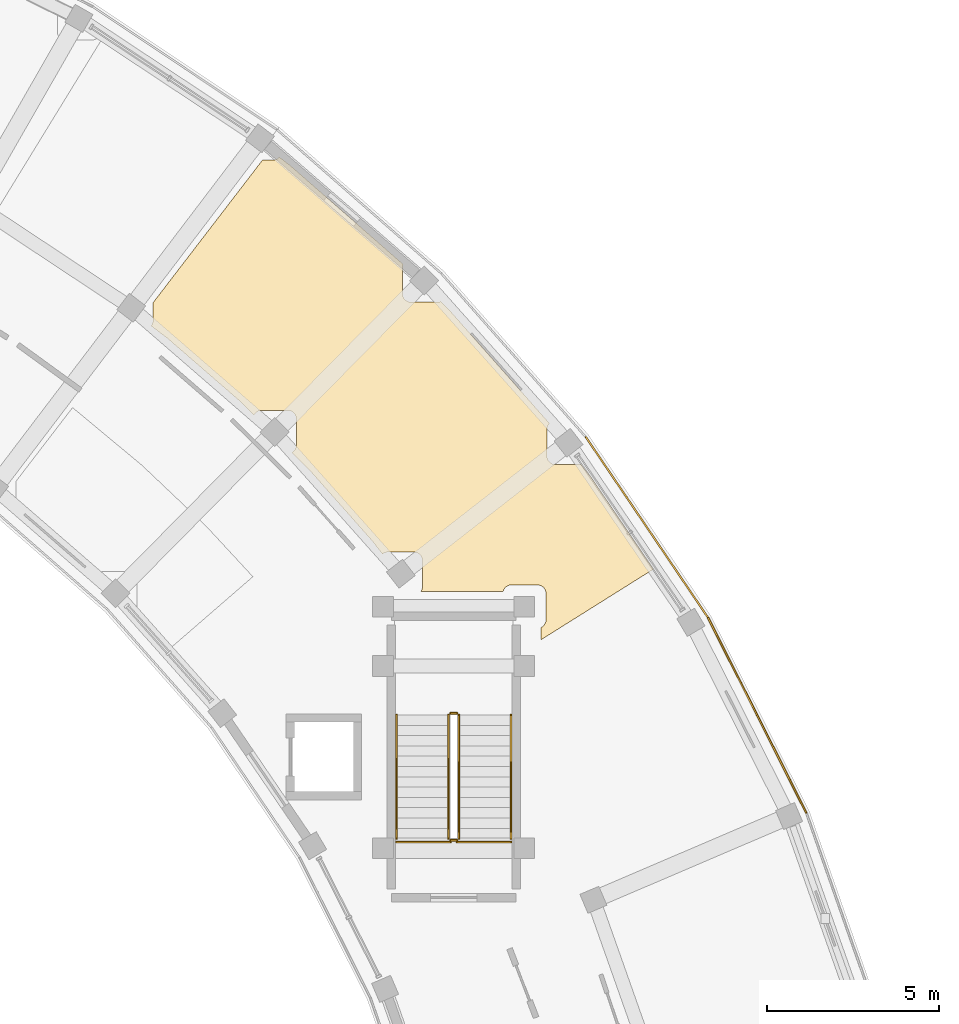
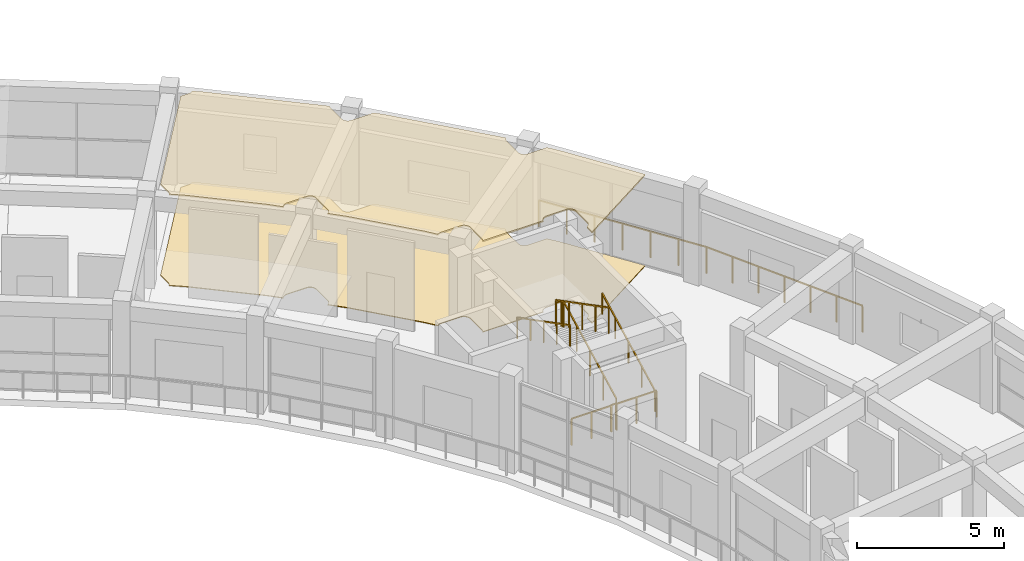
# One storey, part 52 of 53: 10 railings, 2 coverings.
"""IFC4 building model written with IfcOpenShell, lengths in metres."""

from ifc_helpers import new_model, si_unit, direction, frame, origin, origin_2d, place, context, subcontext, project, spatial, polyline, rectangle, outline, extrude, material, layer, layer_set, type_object, element, save


model = new_model("IFC4")

# Units and contexts
model_context = context("Model", 3, precision=1e-05, world=origin(), true_north=direction((0.0, 1.0)))
body_context = subcontext(model_context, "Body", "Model", "MODEL_VIEW")
ifc_project = project(units=[si_unit("LENGTHUNIT", "METRE"), si_unit("AREAUNIT", "SQUARE_METRE"), si_unit("VOLUMEUNIT", "CUBIC_METRE"), si_unit("PLANEANGLEUNIT", "RADIAN"), si_unit("MASSUNIT", "GRAM", prefix="KILO")], contexts=[model_context])

# Site, building, storey
site_placement = place(None, origin())
site = spatial("IfcSite", under=ifc_project, at=site_placement, CompositionType="ELEMENT")
building_placement = place(site_placement, origin())
building = spatial("IfcBuilding", under=site, at=building_placement, Name="Saryqyr Civic Hall", CompositionType="ELEMENT")
storey_placement = place(building_placement, frame((0.0, 0.0, 21.300048828125)))
storey = spatial("IfcBuildingStorey", under=building, at=storey_placement, Name="L05", CompositionType="ELEMENT", Elevation=21.300048828125)

# Coverings
ifc_material_1 = material(Name="Mineral-fibre acoustic ceiling tile", Category="acoustic_tile")
ifc_layer_1 = layer(ifc_material_1, 0.06005859375, Name="Mineral-fibre acoustic ceiling tile")
ifc_layer_set_1 = layer_set([ifc_layer_1], Name="Mineral-fibre acoustic ceiling tile")
covering_type_1 = type_object("IfcCoveringType", Name="INT-COV-CEIL-60", PredefinedType="CEILING", material=ifc_layer_set_1)
covering_1_placement = place(storey_placement, frame((0.0, 0.0, 3.760009765625)))
element("IfcCovering", 1, at=covering_1_placement, inside=storey, type_object=covering_type_1, Name="Acoustic ceiling Civic Diplomatic Reception Salon", PredefinedType="CEILING", context=body_context, shape_type="SweptSolid", body=[
    extrude(outline(polyline([(94.85888671875, 108.7919921875), (94.878662109375, 108.806640625), (94.896728515625, 108.8232421875), (94.913330078125, 108.84130859375), (94.927978515625, 108.861083984375), (94.9404296875, 108.882080078125), (94.950927734375, 108.904296875), (94.959228515625, 108.927490234375), (94.965087890625, 108.951171875), (94.96875, 108.9755859375), (94.969970703125, 109.0), (94.969970703125, 109.760009765625), (94.96875, 109.784423828125), (94.965087890625, 109.808837890625), (94.959228515625, 109.83251953125), (94.950927734375, 109.855712890625), (94.9404296875, 109.877685546875), (94.927978515625, 109.89892578125), (94.913330078125, 109.918701171875), (94.896728515625, 109.936767578125), (94.878662109375, 109.953369140625), (94.85888671875, 109.968017578125), (94.837890625, 109.98046875), (94.815673828125, 109.990966796875), (94.79248046875, 109.999267578125), (94.768798828125, 110.005126953125), (94.744384765625, 110.0087890625), (94.719970703125, 110.010009765625), (93.9599609375, 110.010009765625), (93.935546875, 110.0087890625), (93.9111328125, 110.005126953125), (93.887451171875, 109.999267578125), (93.8642578125, 109.990966796875), (93.84228515625, 109.98046875), (93.821044921875, 109.968017578125), (93.801513671875, 109.953369140625), (93.783203125, 109.936767578125), (93.7666015625, 109.918701171875), (93.752197265625, 109.89892578125), (93.739501953125, 109.877685546875), (93.72900390625, 109.855712890625), (93.720703125, 109.83251953125), (93.717529296875, 109.820068359375), (91.328125, 109.820068359375), (91.3388671875, 109.837890625), (91.349365234375, 109.85986328125), (91.357666015625, 109.883056640625), (91.363525390625, 109.90673828125), (91.3671875, 109.93115234375), (91.368408203125, 109.95556640625), (91.368408203125, 110.715576171875), (91.3671875, 110.739990234375), (91.363525390625, 110.764404296875), (91.357666015625, 110.7880859375), (91.349365234375, 110.811279296875), (91.3388671875, 110.83349609375), (91.326416015625, 110.8544921875), (91.311767578125, 110.874267578125), (91.295166015625, 110.892333984375), (91.277099609375, 110.908935546875), (91.25732421875, 110.923583984375), (91.236083984375, 110.93603515625), (91.214111328125, 110.946533203125), (91.19091796875, 110.954833984375), (91.167236328125, 110.960693359375), (91.142822265625, 110.96435546875), (91.118408203125, 110.965576171875), (90.3583984375, 110.965576171875), (90.333984375, 110.96435546875), (90.3095703125, 110.960693359375), (90.285888671875, 110.954833984375), (90.2626953125, 110.946533203125), (90.240478515625, 110.93603515625), (90.219482421875, 110.923583984375), (90.201416015625, 110.91015625), (89.92724609375, 111.26416015625), (89.904296875, 111.2919921875), (88.064697265625, 113.36865234375), (88.0400390625, 113.394775390625), (87.564208984375, 113.86572265625), (87.581787109375, 113.876220703125), (87.601318359375, 113.890869140625), (87.61962890625, 113.907470703125), (87.635986328125, 113.925537109375), (87.650634765625, 113.9453125), (87.663330078125, 113.96630859375), (87.673828125, 113.988525390625), (87.681884765625, 114.01171875), (87.68798828125, 114.035400390625), (87.691650390625, 114.059814453125), (87.69287109375, 114.084228515625), (87.69287109375, 114.84423828125), (87.691650390625, 114.86865234375), (87.68798828125, 114.89306640625), (87.681884765625, 114.916748046875), (87.673828125, 114.93994140625), (87.663330078125, 114.9619140625), (87.650634765625, 114.983154296875), (87.635986328125, 115.002685546875), (87.61962890625, 115.02099609375), (87.601318359375, 115.03759765625), (87.581787109375, 115.052001953125), (87.560546875, 115.064697265625), (87.53857421875, 115.0751953125), (87.515380859375, 115.08349609375), (87.49169921875, 115.08935546875), (87.46728515625, 115.093017578125), (87.44287109375, 115.09423828125), (86.682861328125, 115.09423828125), (86.658203125, 115.093017578125), (86.634033203125, 115.08935546875), (86.610107421875, 115.08349609375), (86.587158203125, 115.0751953125), (86.56494140625, 115.064697265625), (86.5439453125, 115.052001953125), (86.524169921875, 115.03759765625), (86.506103515625, 115.02099609375), (86.489501953125, 115.002685546875), (86.474853515625, 114.983154296875), (86.46240234375, 114.9619140625), (86.46044921875, 114.9580078125), (86.068115234375, 115.34619140625), (86.04150390625, 115.37060546875), (83.94580078125, 117.188232421875), (83.917724609375, 117.2109375), (83.465087890625, 117.55419921875), (83.4736328125, 117.56591796875), (83.486328125, 117.5869140625), (83.496826171875, 117.60888671875), (83.5048828125, 117.632080078125), (83.510986328125, 117.656005859375), (83.5146484375, 117.68017578125), (83.515869140625, 117.70458984375), (83.515869140625, 118.2275390625), (86.71142578125, 122.39208984375), (87.015625, 122.39208984375), (87.0400390625, 122.393310546875), (87.064453125, 122.39697265625), (87.088134765625, 122.403076171875), (87.111328125, 122.4111328125), (87.13330078125, 122.421630859375), (87.154541015625, 122.434326171875), (87.17431640625, 122.448974609375), (87.1923828125, 122.46533203125), (87.199462890625, 122.473388671875), (87.50439453125, 122.2421875), (90.744140625, 119.407958984375), (90.8046875, 119.34765625), (90.798583984375, 119.329833984375), (90.79248046875, 119.30615234375), (90.788818359375, 119.28173828125), (90.78759765625, 119.25732421875), (90.78759765625, 118.497314453125), (90.788818359375, 118.472900390625), (90.79248046875, 118.448486328125), (90.798583984375, 118.4248046875), (90.806640625, 118.401611328125), (90.817138671875, 118.37939453125), (90.829833984375, 118.3583984375), (90.844482421875, 118.338623046875), (90.86083984375, 118.320556640625), (90.879150390625, 118.303955078125), (90.898681640625, 118.289306640625), (90.919921875, 118.27685546875), (90.94189453125, 118.266357421875), (90.965087890625, 118.258056640625), (90.989013671875, 118.252197265625), (91.01318359375, 118.24853515625), (91.03759765625, 118.247314453125), (91.797607421875, 118.247314453125), (91.822265625, 118.24853515625), (91.846435546875, 118.252197265625), (91.870361328125, 118.258056640625), (91.893310546875, 118.266357421875), (91.896240234375, 118.267578125), (92.1875, 117.9794921875), (95.03515625, 114.755615234375), (95.071044921875, 114.709228515625), (95.06884765625, 114.70751953125), (95.052490234375, 114.689208984375), (95.037841796875, 114.66943359375), (95.025146484375, 114.6484375), (95.0146484375, 114.626220703125), (95.006591796875, 114.603271484375), (95.00048828125, 114.579345703125), (94.996826171875, 114.55517578125), (94.99560546875, 114.530517578125), (94.99560546875, 113.7705078125), (94.996826171875, 113.74609375), (95.00048828125, 113.7216796875), (95.006591796875, 113.697998046875), (95.0146484375, 113.6748046875), (95.025146484375, 113.65283203125), (95.037841796875, 113.631591796875), (95.052490234375, 113.612060546875), (95.06884765625, 113.59375), (95.087158203125, 113.577392578125), (95.106689453125, 113.562744140625), (95.1279296875, 113.550048828125), (95.14990234375, 113.53955078125), (95.173095703125, 113.531494140625), (95.197021484375, 113.525390625), (95.22119140625, 113.521728515625), (95.24560546875, 113.5205078125), (95.99169921875, 113.5205078125), (96.279296875, 113.149658203125), (98.094970703125, 110.466796875), (94.820068359375, 108.4111328125), (94.820068359375, 108.77099609375), (94.837890625, 108.779541015625), (94.85888671875, 108.7919921875)])), origin(), (0.0, 0.0, 1.0), 0.06005859375),
])
ifc_material_2 = material(Name="Polished terrazzo tile", Category="stone")
ifc_layer_2 = layer(ifc_material_2, 0.030029296875, Name="Polished terrazzo tile")
ifc_layer_set_2 = layer_set([ifc_layer_2], Name="Polished terrazzo tile")
covering_type_2 = type_object("IfcCoveringType", Name="INT-COV-FLR-30", PredefinedType="FLOORING", material=ifc_layer_set_2)
covering_2_placement = place(storey_placement, origin())
element("IfcCovering", 2, at=covering_2_placement, inside=storey, type_object=covering_type_2, Name="Polished terrazzo flooring Civic Diplomatic Reception Salon", PredefinedType="FLOORING", context=body_context, shape_type="SweptSolid", body=[
    extrude(outline(polyline([(94.85888671875, 108.7919921875), (94.878662109375, 108.806640625), (94.896728515625, 108.8232421875), (94.913330078125, 108.84130859375), (94.927978515625, 108.861083984375), (94.9404296875, 108.882080078125), (94.950927734375, 108.904296875), (94.959228515625, 108.927490234375), (94.965087890625, 108.951171875), (94.96875, 108.9755859375), (94.969970703125, 109.0), (94.969970703125, 109.760009765625), (94.96875, 109.784423828125), (94.965087890625, 109.808837890625), (94.959228515625, 109.83251953125), (94.950927734375, 109.855712890625), (94.9404296875, 109.877685546875), (94.927978515625, 109.89892578125), (94.913330078125, 109.918701171875), (94.896728515625, 109.936767578125), (94.878662109375, 109.953369140625), (94.85888671875, 109.968017578125), (94.837890625, 109.98046875), (94.815673828125, 109.990966796875), (94.79248046875, 109.999267578125), (94.768798828125, 110.005126953125), (94.744384765625, 110.0087890625), (94.719970703125, 110.010009765625), (93.9599609375, 110.010009765625), (93.935546875, 110.0087890625), (93.9111328125, 110.005126953125), (93.887451171875, 109.999267578125), (93.8642578125, 109.990966796875), (93.84228515625, 109.98046875), (93.821044921875, 109.968017578125), (93.801513671875, 109.953369140625), (93.783203125, 109.936767578125), (93.7666015625, 109.918701171875), (93.752197265625, 109.89892578125), (93.739501953125, 109.877685546875), (93.72900390625, 109.855712890625), (93.720703125, 109.83251953125), (93.717529296875, 109.820068359375), (91.328125, 109.820068359375), (91.3388671875, 109.837890625), (91.349365234375, 109.85986328125), (91.357666015625, 109.883056640625), (91.363525390625, 109.90673828125), (91.3671875, 109.93115234375), (91.368408203125, 109.95556640625), (91.368408203125, 110.715576171875), (91.3671875, 110.739990234375), (91.363525390625, 110.764404296875), (91.357666015625, 110.7880859375), (91.349365234375, 110.811279296875), (91.3388671875, 110.83349609375), (91.326416015625, 110.8544921875), (91.311767578125, 110.874267578125), (91.295166015625, 110.892333984375), (91.277099609375, 110.908935546875), (91.25732421875, 110.923583984375), (91.236083984375, 110.93603515625), (91.214111328125, 110.946533203125), (91.19091796875, 110.954833984375), (91.167236328125, 110.960693359375), (91.142822265625, 110.96435546875), (91.118408203125, 110.965576171875), (90.3583984375, 110.965576171875), (90.333984375, 110.96435546875), (90.3095703125, 110.960693359375), (90.285888671875, 110.954833984375), (90.2626953125, 110.946533203125), (90.240478515625, 110.93603515625), (90.219482421875, 110.923583984375), (90.201416015625, 110.91015625), (89.92724609375, 111.26416015625), (89.904296875, 111.2919921875), (88.064697265625, 113.36865234375), (88.0400390625, 113.394775390625), (87.564208984375, 113.86572265625), (87.581787109375, 113.876220703125), (87.601318359375, 113.890869140625), (87.61962890625, 113.907470703125), (87.635986328125, 113.925537109375), (87.650634765625, 113.9453125), (87.663330078125, 113.96630859375), (87.673828125, 113.988525390625), (87.681884765625, 114.01171875), (87.68798828125, 114.035400390625), (87.691650390625, 114.059814453125), (87.69287109375, 114.084228515625), (87.69287109375, 114.84423828125), (87.691650390625, 114.86865234375), (87.68798828125, 114.89306640625), (87.681884765625, 114.916748046875), (87.673828125, 114.93994140625), (87.663330078125, 114.9619140625), (87.650634765625, 114.983154296875), (87.635986328125, 115.002685546875), (87.61962890625, 115.02099609375), (87.601318359375, 115.03759765625), (87.581787109375, 115.052001953125), (87.560546875, 115.064697265625), (87.53857421875, 115.0751953125), (87.515380859375, 115.08349609375), (87.49169921875, 115.08935546875), (87.46728515625, 115.093017578125), (87.44287109375, 115.09423828125), (86.682861328125, 115.09423828125), (86.658203125, 115.093017578125), (86.634033203125, 115.08935546875), (86.610107421875, 115.08349609375), (86.587158203125, 115.0751953125), (86.56494140625, 115.064697265625), (86.5439453125, 115.052001953125), (86.524169921875, 115.03759765625), (86.506103515625, 115.02099609375), (86.489501953125, 115.002685546875), (86.474853515625, 114.983154296875), (86.46240234375, 114.9619140625), (86.46044921875, 114.9580078125), (86.068115234375, 115.34619140625), (86.04150390625, 115.37060546875), (83.94580078125, 117.188232421875), (83.917724609375, 117.2109375), (83.465087890625, 117.55419921875), (83.4736328125, 117.56591796875), (83.486328125, 117.5869140625), (83.496826171875, 117.60888671875), (83.5048828125, 117.632080078125), (83.510986328125, 117.656005859375), (83.5146484375, 117.68017578125), (83.515869140625, 117.70458984375), (83.515869140625, 118.2275390625), (86.71142578125, 122.39208984375), (87.015625, 122.39208984375), (87.0400390625, 122.393310546875), (87.064453125, 122.39697265625), (87.088134765625, 122.403076171875), (87.111328125, 122.4111328125), (87.13330078125, 122.421630859375), (87.154541015625, 122.434326171875), (87.17431640625, 122.448974609375), (87.1923828125, 122.46533203125), (87.199462890625, 122.473388671875), (87.50439453125, 122.2421875), (90.744140625, 119.407958984375), (90.8046875, 119.34765625), (90.798583984375, 119.329833984375), (90.79248046875, 119.30615234375), (90.788818359375, 119.28173828125), (90.78759765625, 119.25732421875), (90.78759765625, 118.497314453125), (90.788818359375, 118.472900390625), (90.79248046875, 118.448486328125), (90.798583984375, 118.4248046875), (90.806640625, 118.401611328125), (90.817138671875, 118.37939453125), (90.829833984375, 118.3583984375), (90.844482421875, 118.338623046875), (90.86083984375, 118.320556640625), (90.879150390625, 118.303955078125), (90.898681640625, 118.289306640625), (90.919921875, 118.27685546875), (90.94189453125, 118.266357421875), (90.965087890625, 118.258056640625), (90.989013671875, 118.252197265625), (91.01318359375, 118.24853515625), (91.03759765625, 118.247314453125), (91.797607421875, 118.247314453125), (91.822265625, 118.24853515625), (91.846435546875, 118.252197265625), (91.870361328125, 118.258056640625), (91.893310546875, 118.266357421875), (91.896240234375, 118.267578125), (92.1875, 117.9794921875), (95.03515625, 114.755615234375), (95.071044921875, 114.709228515625), (95.06884765625, 114.70751953125), (95.052490234375, 114.689208984375), (95.037841796875, 114.66943359375), (95.025146484375, 114.6484375), (95.0146484375, 114.626220703125), (95.006591796875, 114.603271484375), (95.00048828125, 114.579345703125), (94.996826171875, 114.55517578125), (94.99560546875, 114.530517578125), (94.99560546875, 113.7705078125), (94.996826171875, 113.74609375), (95.00048828125, 113.7216796875), (95.006591796875, 113.697998046875), (95.0146484375, 113.6748046875), (95.025146484375, 113.65283203125), (95.037841796875, 113.631591796875), (95.052490234375, 113.612060546875), (95.06884765625, 113.59375), (95.087158203125, 113.577392578125), (95.106689453125, 113.562744140625), (95.1279296875, 113.550048828125), (95.14990234375, 113.53955078125), (95.173095703125, 113.531494140625), (95.197021484375, 113.525390625), (95.22119140625, 113.521728515625), (95.24560546875, 113.5205078125), (95.99169921875, 113.5205078125), (96.279296875, 113.149658203125), (98.094970703125, 110.466796875), (94.820068359375, 108.4111328125), (94.820068359375, 108.77099609375), (94.837890625, 108.779541015625), (94.85888671875, 108.7919921875)])), origin(), (0.0, 0.0, 1.0), 0.030029296875),
])

# Railings
ifc_material_3 = material(Name="Warm brushed brass and laminated glass", Category="glass")
ifc_layer_3 = layer(ifc_material_3, 0.06005859375, Name="Warm brushed brass and laminated glass")
ifc_layer_set_3 = layer_set([ifc_layer_3], Name="Warm brushed brass and laminated glass")
railing_type_1 = type_object("IfcRailingType", Name="INT-RLG-BAL-1100", PredefinedType="BALUSTRADE", material=ifc_layer_set_3)
railing_1_placement = place(storey_placement, frame((92.429931640625, 102.6201171875, 0.15576171875)))
element("IfcRailing", 3, at=railing_1_placement, inside=storey, type_object=railing_type_1, Name="L05 ST-6 stair guard 1", PredefinedType="BALUSTRADE", context=body_context, shape_type="SweptSolid", body=[
    extrude(rectangle(XDim=0.048095703125, YDim=0.048095703125, at=origin_2d()), frame((0.0, 0.0, 1.076171875), z_axis=(0.0, 0.887497496945, 0.460812535545), x_axis=(-1.0, 0.0, 0.0)), (0.0, 0.0, 1.0), 4.05615234375),
    extrude(rectangle(XDim=0.0419921875, YDim=0.0419921875, at=origin_2d()), origin(), (0.0, 0.0, 1.0), 1.052001953125),
    extrude(rectangle(XDim=0.0419921875, YDim=0.0419921875, at=origin_2d()), frame((0.0, 0.89990234375, 0.46728515625)), (0.0, 0.0, 1.0), 1.052001953125),
    extrude(rectangle(XDim=0.0419921875, YDim=0.0419921875, at=origin_2d()), frame((0.0, 1.7998046875, 0.9345703125)), (0.0, 0.0, 1.0), 1.052001953125),
    extrude(rectangle(XDim=0.0419921875, YDim=0.0419921875, at=origin_2d()), frame((0.0, 2.699951171875, 1.40185546875)), (0.0, 0.0, 1.0), 1.052001953125),
    extrude(rectangle(XDim=0.0419921875, YDim=0.0419921875, at=origin_2d()), frame((0.0, 3.599853515625, 1.869140625)), (0.0, 0.0, 1.0), 1.052001953125),
])
railing_2_placement = place(storey_placement, frame((92.3798828125, 106.27001953125, 2.02490234375)))
element("IfcRailing", 4, at=railing_2_placement, inside=storey, type_object=railing_type_1, Name="L05 ST-6 stair guard 2", PredefinedType="BALUSTRADE", context=body_context, shape_type="SweptSolid", body=[
    extrude(rectangle(XDim=0.048095703125, YDim=0.048095703125, at=origin_2d()), frame((0.0, 0.0, 1.076171875), z_axis=(-1.0, 0.0, 0.0), x_axis=(0.0, -1.0, 0.0)), (0.0, 0.0, 1.0), 0.199951171875),
    extrude(rectangle(XDim=0.0419921875, YDim=0.0419921875, at=origin_2d()), origin(), (0.0, 0.0, 1.0), 1.052001953125),
    extrude(rectangle(XDim=0.0419921875, YDim=0.0419921875, at=origin_2d()), frame((-0.199951171875, 0.0, 0.0)), (0.0, 0.0, 1.0), 1.052001953125),
])
railing_3_placement = place(storey_placement, frame((92.1298828125, 106.219970703125, 2.1806640625)))
element("IfcRailing", 5, at=railing_3_placement, inside=storey, type_object=railing_type_1, Name="L05 ST-6 stair guard 3", PredefinedType="BALUSTRADE", context=body_context, shape_type="SweptSolid", body=[
    extrude(rectangle(XDim=0.048095703125, YDim=0.048095703125, at=origin_2d()), frame((0.0, 0.0, 1.076171875), z_axis=(0.0, -0.887472880572, 0.460859942119), x_axis=(1.0, 0.0, 0.0)), (0.0, 0.0, 1.0), 4.056396484375),
    extrude(rectangle(XDim=0.0419921875, YDim=0.0419921875, at=origin_2d()), origin(), (0.0, 0.0, 1.0), 1.052001953125),
    extrude(rectangle(XDim=0.0419921875, YDim=0.0419921875, at=origin_2d()), frame((0.0, -0.89990234375, 0.46728515625)), (0.0, 0.0, 1.0), 1.052001953125),
    extrude(rectangle(XDim=0.0419921875, YDim=0.0419921875, at=origin_2d()), frame((0.0, -1.7998046875, 0.9345703125)), (0.0, 0.0, 1.0), 1.052001953125),
    extrude(rectangle(XDim=0.0419921875, YDim=0.0419921875, at=origin_2d()), frame((0.0, -2.699951171875, 1.402099609375)), (0.0, 0.0, 1.0), 1.052001953125),
    extrude(rectangle(XDim=0.0419921875, YDim=0.0419921875, at=origin_2d()), frame((0.0, -3.599853515625, 1.869384765625)), (0.0, 0.0, 1.0), 1.052001953125),
])
railing_4_placement = place(storey_placement, frame((92.3798828125, 102.570068359375, 0.0)))
element("IfcRailing", 6, at=railing_4_placement, inside=storey, type_object=railing_type_1, Name="L05 ST-6 stair guard 4", PredefinedType="BALUSTRADE", context=body_context, shape_type="SweptSolid", body=[
    extrude(rectangle(XDim=0.048095703125, YDim=0.048095703125, at=origin_2d()), frame((0.0, 0.0, 1.076171875), z_axis=(-1.0, 0.0, 0.0), x_axis=(0.0, -1.0, 0.0)), (0.0, 0.0, 1.0), 0.199951171875),
    extrude(rectangle(XDim=0.0419921875, YDim=0.0419921875, at=origin_2d()), origin(), (0.0, 0.0, 1.0), 1.052001953125),
    extrude(rectangle(XDim=0.0419921875, YDim=0.0419921875, at=origin_2d()), frame((-0.199951171875, 0.0, 0.0)), (0.0, 0.0, 1.0), 1.052001953125),
])
railing_5_placement = place(storey_placement, frame((96.127685546875, 114.319091796875, 0.0)))
element("IfcRailing", 7, at=railing_5_placement, inside=storey, type_object=railing_type_1, Name="Interior deck safety balustrade L05-027", PredefinedType="BALUSTRADE", context=body_context, shape_type="SweptSolid", body=[
    extrude(rectangle(XDim=0.048095703125, YDim=0.048095703125, at=origin_2d()), frame((0.0, 0.0, 1.09619140625), z_axis=(0.560499967333, -0.828154446115, 0.0), x_axis=(0.828154446115, 0.560499967333, 0.0)), (0.0, 0.0, 1.0), 6.357666015625),
    extrude(rectangle(XDim=0.0419921875, YDim=0.0419921875, at=origin_2d()), origin(), (0.0, 0.0, 1.0), 1.072021484375),
    extrude(rectangle(XDim=0.0419921875, YDim=0.0419921875, at=origin_2d()), frame((0.593994140625, -0.87744140625, 0.0)), (0.0, 0.0, 1.0), 1.072021484375),
    extrude(rectangle(XDim=0.0419921875, YDim=0.0419921875, at=origin_2d()), frame((1.187744140625, -1.755126953125, 0.0)), (0.0, 0.0, 1.0), 1.072021484375),
    extrude(rectangle(XDim=0.0419921875, YDim=0.0419921875, at=origin_2d()), frame((1.78173828125, -2.632568359375, 0.0)), (0.0, 0.0, 1.0), 1.072021484375),
    extrude(rectangle(XDim=0.0419921875, YDim=0.0419921875, at=origin_2d()), frame((2.375732421875, -3.510009765625, 0.0)), (0.0, 0.0, 1.0), 1.072021484375),
    extrude(rectangle(XDim=0.0419921875, YDim=0.0419921875, at=origin_2d()), frame((2.969482421875, -4.3876953125, 0.0)), (0.0, 0.0, 1.0), 1.072021484375),
    extrude(rectangle(XDim=0.0419921875, YDim=0.0419921875, at=origin_2d()), frame((3.5634765625, -5.26513671875, 0.0)), (0.0, 0.0, 1.0), 1.072021484375),
])
railing_6_placement = place(storey_placement, frame((99.691162109375, 109.053955078125, 0.0)))
element("IfcRailing", 8, at=railing_6_placement, inside=storey, type_object=railing_type_1, Name="Interior deck safety balustrade L05-028", PredefinedType="BALUSTRADE", context=body_context, shape_type="SweptSolid", body=[
    extrude(rectangle(XDim=0.048095703125, YDim=0.048095703125, at=origin_2d()), frame((0.0, 0.0, 1.09619140625), z_axis=(0.449700172546, -0.893179575904, 0.0), x_axis=(0.893179575904, 0.449700172546, 0.0)), (0.0, 0.0, 1.0), 6.35791015625),
    extrude(rectangle(XDim=0.0419921875, YDim=0.0419921875, at=origin_2d()), origin(), (0.0, 0.0, 1.0), 1.072021484375),
    extrude(rectangle(XDim=0.0419921875, YDim=0.0419921875, at=origin_2d()), frame((0.4765625, -0.946533203125, 0.0)), (0.0, 0.0, 1.0), 1.072021484375),
    extrude(rectangle(XDim=0.0419921875, YDim=0.0419921875, at=origin_2d()), frame((0.953125, -1.892822265625, 0.0)), (0.0, 0.0, 1.0), 1.072021484375),
    extrude(rectangle(XDim=0.0419921875, YDim=0.0419921875, at=origin_2d()), frame((1.4296875, -2.83935546875, 0.0)), (0.0, 0.0, 1.0), 1.072021484375),
    extrude(rectangle(XDim=0.0419921875, YDim=0.0419921875, at=origin_2d()), frame((1.906005859375, -3.785888671875, 0.0)), (0.0, 0.0, 1.0), 1.072021484375),
    extrude(rectangle(XDim=0.0419921875, YDim=0.0419921875, at=origin_2d()), frame((2.382568359375, -4.732177734375, 0.0)), (0.0, 0.0, 1.0), 1.072021484375),
    extrude(rectangle(XDim=0.0419921875, YDim=0.0419921875, at=origin_2d()), frame((2.859130859375, -5.6787109375, 0.0)), (0.0, 0.0, 1.0), 1.072021484375),
])
railing_7_placement = place(storey_placement, frame((90.60498046875, 102.52001953125, 0.0)))
element("IfcRailing", 9, at=railing_7_placement, inside=storey, type_object=railing_type_1, Name="Interior deck safety balustrade L05-063", PredefinedType="BALUSTRADE", context=body_context, shape_type="SweptSolid", body=[
    extrude(rectangle(XDim=0.048095703125, YDim=0.048095703125, at=origin_2d()), frame((0.0, 0.0, 1.09619140625), z_axis=(1.0, 0.0, 0.0), x_axis=(0.0, 1.0, 0.0)), (0.0, 0.0, 1.0), 1.574951171875),
    extrude(rectangle(XDim=0.0419921875, YDim=0.0419921875, at=origin_2d()), origin(), (0.0, 0.0, 1.0), 1.072021484375),
    extrude(rectangle(XDim=0.0419921875, YDim=0.0419921875, at=origin_2d()), frame((0.78759765625, 0.0, 0.0)), (0.0, 0.0, 1.0), 1.072021484375),
    extrude(rectangle(XDim=0.0419921875, YDim=0.0419921875, at=origin_2d()), frame((1.574951171875, 0.0, 0.0)), (0.0, 0.0, 1.0), 1.072021484375),
])
railing_8_placement = place(storey_placement, frame((92.3798828125, 102.52001953125, 0.0)))
element("IfcRailing", 10, at=railing_8_placement, inside=storey, type_object=railing_type_1, Name="Interior deck safety balustrade L05-064", PredefinedType="BALUSTRADE", context=body_context, shape_type="SweptSolid", body=[
    extrude(rectangle(XDim=0.048095703125, YDim=0.048095703125, at=origin_2d()), frame((0.0, 0.0, 1.09619140625), z_axis=(1.0, 0.0, 0.0), x_axis=(0.0, 1.0, 0.0)), (0.0, 0.0, 1.0), 1.5751953125),
    extrude(rectangle(XDim=0.0419921875, YDim=0.0419921875, at=origin_2d()), origin(), (0.0, 0.0, 1.0), 1.072021484375),
    extrude(rectangle(XDim=0.0419921875, YDim=0.0419921875, at=origin_2d()), frame((0.78759765625, 0.0, 0.0)), (0.0, 0.0, 1.0), 1.072021484375),
    extrude(rectangle(XDim=0.0419921875, YDim=0.0419921875, at=origin_2d()), frame((1.5751953125, 0.0, 0.0)), (0.0, 0.0, 1.0), 1.072021484375),
])
ifc_material_4 = material(Name="Stainless steel", Category="steel")
ifc_layer_4 = layer(ifc_material_4, 0.050048828125, Name="Stainless steel")
ifc_layer_set_4 = layer_set([ifc_layer_4], Name="Stainless steel")
railing_type_2 = type_object("IfcRailingType", Name="INT-RLG-HND-900", PredefinedType="HANDRAIL", material=ifc_layer_set_4)
railing_9_placement = place(storey_placement, frame((93.949951171875, 102.6201171875, 0.15576171875)))
element("IfcRailing", 11, at=railing_9_placement, inside=storey, type_object=railing_type_2, Name="L05 ST-6 stair handrail 1", PredefinedType="HANDRAIL", context=body_context, shape_type="SweptSolid", body=[
    extrude(rectangle(XDim=0.048095703125, YDim=0.048095703125, at=origin_2d()), frame((0.0, 0.0, 0.8759765625), z_axis=(0.0, 0.887497496945, 0.460812535545), x_axis=(-1.0, 0.0, 0.0)), (0.0, 0.0, 1.0), 4.05615234375),
    extrude(rectangle(XDim=0.0419921875, YDim=0.0419921875, at=origin_2d()), origin(), (0.0, 0.0, 1.0), 0.851806640625),
    extrude(rectangle(XDim=0.0419921875, YDim=0.0419921875, at=origin_2d()), frame((0.0, 0.89990234375, 0.46728515625)), (0.0, 0.0, 1.0), 0.851806640625),
    extrude(rectangle(XDim=0.0419921875, YDim=0.0419921875, at=origin_2d()), frame((0.0, 1.7998046875, 0.9345703125)), (0.0, 0.0, 1.0), 0.851806640625),
    extrude(rectangle(XDim=0.0419921875, YDim=0.0419921875, at=origin_2d()), frame((0.0, 2.699951171875, 1.40185546875)), (0.0, 0.0, 1.0), 0.851806640625),
    extrude(rectangle(XDim=0.0419921875, YDim=0.0419921875, at=origin_2d()), frame((0.0, 3.599853515625, 1.869140625)), (0.0, 0.0, 1.0), 0.851806640625),
])
railing_10_placement = place(storey_placement, frame((90.610107421875, 106.219970703125, 2.1806640625)))
element("IfcRailing", 12, at=railing_10_placement, inside=storey, type_object=railing_type_2, Name="L05 ST-6 stair handrail 2", PredefinedType="HANDRAIL", context=body_context, shape_type="SweptSolid", body=[
    extrude(rectangle(XDim=0.048095703125, YDim=0.048095703125, at=origin_2d()), frame((0.0, 0.0, 0.8759765625), z_axis=(0.0, -0.887472880572, 0.460859942119), x_axis=(1.0, 0.0, 0.0)), (0.0, 0.0, 1.0), 4.056396484375),
    extrude(rectangle(XDim=0.0419921875, YDim=0.0419921875, at=origin_2d()), origin(), (0.0, 0.0, 1.0), 0.851806640625),
    extrude(rectangle(XDim=0.0419921875, YDim=0.0419921875, at=origin_2d()), frame((0.0, -0.89990234375, 0.46728515625)), (0.0, 0.0, 1.0), 0.851806640625),
    extrude(rectangle(XDim=0.0419921875, YDim=0.0419921875, at=origin_2d()), frame((0.0, -1.7998046875, 0.9345703125)), (0.0, 0.0, 1.0), 0.851806640625),
    extrude(rectangle(XDim=0.0419921875, YDim=0.0419921875, at=origin_2d()), frame((0.0, -2.699951171875, 1.402099609375)), (0.0, 0.0, 1.0), 0.851806640625),
    extrude(rectangle(XDim=0.0419921875, YDim=0.0419921875, at=origin_2d()), frame((0.0, -3.599853515625, 1.869384765625)), (0.0, 0.0, 1.0), 0.851806640625),
])

save(model, "model.ifc")
